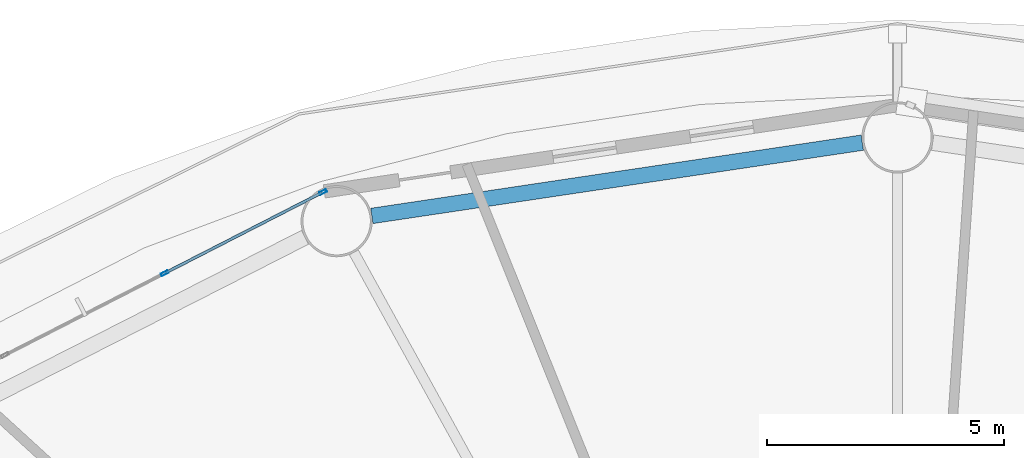
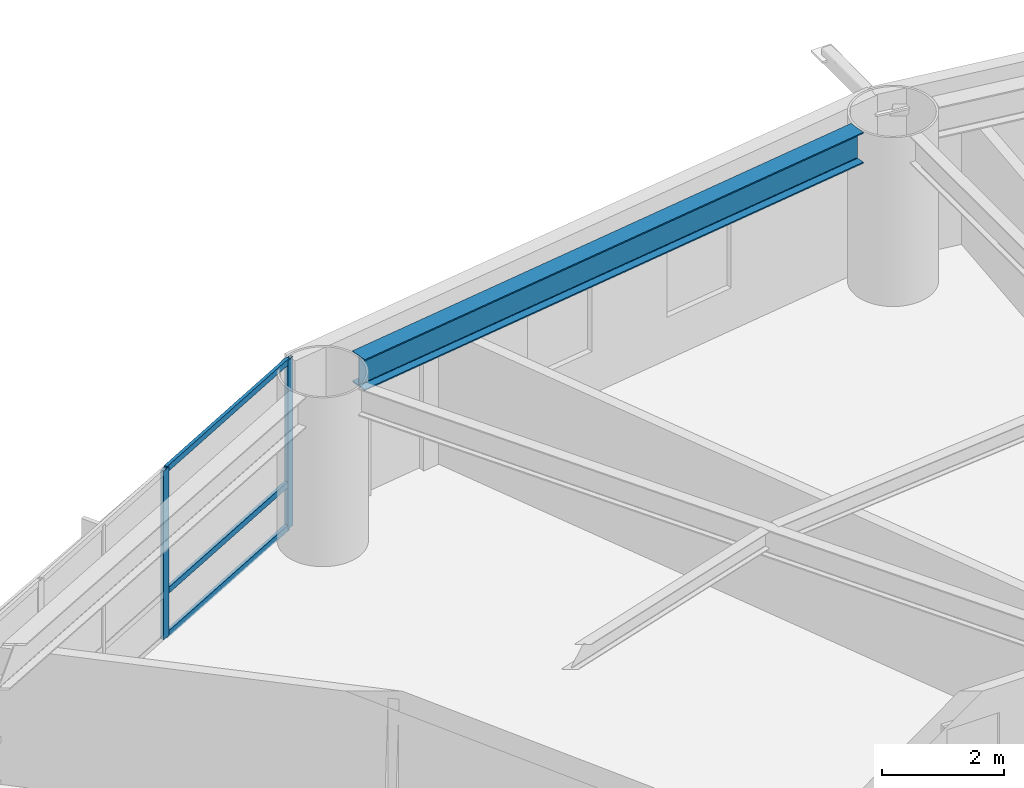
# One storey, part 12 of 28: 5 members, 1 beam, 1 element without a shape of its own.
"""IFC4 building model written with IfcOpenShell, lengths in metres."""

from ifc_helpers import new_model, si_unit, direction, frame, origin, origin_2d, place, context, subcontext, project, spatial, hollow_rectangle, i_section, extrude, material, layer, layer_set, material_profile, profile_set, type_object, element, aggregate, save


model = new_model("IFC4")

# Units and contexts
model_context = context("Model", 3, precision=1e-05, world=origin(), true_north=direction((0.0, 1.0)))
body_context = subcontext(model_context, "Body", "Model", "MODEL_VIEW")
ifc_project = project(units=[si_unit("LENGTHUNIT", "METRE"), si_unit("AREAUNIT", "SQUARE_METRE"), si_unit("VOLUMEUNIT", "CUBIC_METRE"), si_unit("PLANEANGLEUNIT", "RADIAN"), si_unit("MASSUNIT", "GRAM", prefix="KILO")], contexts=[model_context])

# Site, building, storey
site_placement = place(None, origin())
site = spatial("IfcSite", under=ifc_project, at=site_placement, CompositionType="ELEMENT")
building_placement = place(site_placement, origin())
building = spatial("IfcBuilding", under=site, at=building_placement, Name="Sarneth Arch Tower", CompositionType="ELEMENT")
storey_placement = place(building_placement, frame((0.0, 0.0, 67.800048828125)))
storey = spatial("IfcBuildingStorey", under=building, at=storey_placement, Name="L16", CompositionType="ELEMENT", Elevation=67.800048828125)

# Beam
ifc_material_1 = material(Name="Steel S355", Category="steel")
ifc_material_profile_1 = material_profile(ifc_material_1, i_section(OverallWidth=0.326904296875, OverallDepth=0.6220703125, WebThickness=0.015380859375, FlangeThickness=0.0244140625, FilletRadius=0.01904296875, at=origin_2d()), Name="W610x195")
ifc_profile_set_1 = profile_set([ifc_material_profile_1], Name="Steel S355")
beam_type = type_object("IfcBeamType", Name="BM-SPAN-610A", PredefinedType="SPANDREL", material=ifc_profile_set_1)
beam_placement = place(storey_placement, frame((47.25830078125, 65.089111328125, 3.06884765625), z_axis=(-0.989020169581, -0.147780594675, 0.0), x_axis=(0.147780594675, -0.989020169581, 0.0)))
element("IfcBeam", 1, at=beam_placement, inside=storey, type_object=beam_type, Name="L16 Perimeter spandrel beam 05", PredefinedType="SPANDREL", context=body_context, shape_type="SweptSolid", body=[
    extrude(i_section(OverallWidth=0.326904296875, OverallDepth=0.6220703125, WebThickness=0.015380859375, FlangeThickness=0.0244140625, FilletRadius=0.01904296875, at=origin_2d()), origin(), (0.0, 0.0, 1.0), 10.44921875),
])

# Curtain wall, members
ifc_material_2 = material(Name="Anodised aluminium Type AA25 and solar-control low-e laminated IGU", Category="aluminium")
ifc_layer = layer(ifc_material_2, 0.159912109375)
ifc_layer_set = layer_set([ifc_layer], Name="Anodised aluminium Type AA25 and solar-control low-e laminated IGU")
curtain_wall_type = type_object("IfcCurtainWallType", Name="CW-HOTEL-LOW", PredefinedType="NOTDEFINED", material=ifc_layer_set)
curtain_wall_placement = place(storey_placement, origin())
curtain_wall = element("IfcCurtainWall", 2, at=curtain_wall_placement, inside=storey, type_object=curtain_wall_type, Name="L16 Unitised curtain wall facet 06", PredefinedType="NOTDEFINED")
ifc_material_3 = material(Name="Anodised Aluminium 6063-T6", Category="aluminium")
ifc_material_profile_2 = material_profile(ifc_material_3, hollow_rectangle(XDim=0.06005859375, YDim=0.159912109375, WallThickness=0.00390625, at=origin_2d()), Name="AL-MULL-160x60x4")
ifc_profile_set_2 = profile_set([ifc_material_profile_2], Name="Anodised Aluminium 6063-T6")
member_type_1 = type_object("IfcMemberType", Name="CW-MULLION", PredefinedType="MULLION", material=ifc_profile_set_2)
member_1_placement = place(storey_placement, frame((35.8955078125, 64.048583984375, 0.0), z_axis=(0.0, 0.0, 1.0), x_axis=(0.456245197127, -0.889854100456, 0.0)))
member_1 = element("IfcMember", 3, at=member_1_placement, type_object=member_type_1, Name="CW-SYS-3 mullion 1", PredefinedType="MULLION", context=body_context, shape_type="SweptSolid", body=[
    extrude(hollow_rectangle(XDim=0.06005859375, YDim=0.159912109375, WallThickness=0.00390625, at=origin_2d()), origin(), (0.0, 0.0, 1.0), 3.3798828125),
])
member_2_placement = place(storey_placement, frame((32.556640625, 62.336669921875, 0.0), z_axis=(0.0, 0.0, 1.0), x_axis=(0.456245197127, -0.889854100456, 0.0)))
member_2 = element("IfcMember", 4, at=member_2_placement, type_object=member_type_1, Name="CW-SYS-3 mullion 2", PredefinedType="MULLION", context=body_context, shape_type="SweptSolid", body=[
    extrude(hollow_rectangle(XDim=0.06005859375, YDim=0.159912109375, WallThickness=0.00390625, at=origin_2d()), origin(), (0.0, 0.0, 1.0), 3.3798828125),
])
ifc_material_4 = material(Name="Anodised Aluminium 6063-T6", Category="aluminium")
ifc_material_profile_3 = material_profile(ifc_material_4, hollow_rectangle(XDim=0.06005859375, YDim=0.1201171875, WallThickness=0.00390625, at=origin_2d()), Name="AL-TRAN-120x60x4")
ifc_profile_set_3 = profile_set([ifc_material_profile_3], Name="Anodised Aluminium 6063-T6")
member_type_2 = type_object("IfcMemberType", Name="CW-TRANSOM", PredefinedType="USERDEFINED", material=ifc_profile_set_3)
member_3_placement = place(storey_placement, frame((35.86865234375, 64.034912109375, 0.030029296875), z_axis=(-0.889831232102, -0.456289796485, 0.0), x_axis=(0.456289796485, -0.889831232102, 0.0)))
member_3 = element("IfcMember", 5, at=member_3_placement, type_object=member_type_2, Name="CW-SYS-3 transom 1.1", ObjectType="TRANSOM", PredefinedType="USERDEFINED", context=body_context, shape_type="SweptSolid", body=[
    extrude(hollow_rectangle(XDim=0.06005859375, YDim=0.1201171875, WallThickness=0.00390625, at=origin_2d()), origin(), (0.0, 0.0, 1.0), 3.69189453125),
])
member_4_placement = place(storey_placement, frame((35.86865234375, 64.034912109375, 0.89990234375), z_axis=(-0.889831232102, -0.456289796485, 0.0), x_axis=(0.456289796485, -0.889831232102, 0.0)))
member_4 = element("IfcMember", 6, at=member_4_placement, type_object=member_type_2, Name="CW-SYS-3 transom 1.2", ObjectType="TRANSOM", PredefinedType="USERDEFINED", context=body_context, shape_type="SweptSolid", body=[
    extrude(hollow_rectangle(XDim=0.06005859375, YDim=0.1201171875, WallThickness=0.00390625, at=origin_2d()), origin(), (0.0, 0.0, 1.0), 3.69189453125),
])
member_5_placement = place(storey_placement, frame((35.86865234375, 64.034912109375, 3.349853515625), z_axis=(-0.889831232102, -0.456289796485, 0.0), x_axis=(0.456289796485, -0.889831232102, 0.0)))
member_5 = element("IfcMember", 7, at=member_5_placement, type_object=member_type_2, Name="CW-SYS-3 transom 1.3", ObjectType="TRANSOM", PredefinedType="USERDEFINED", context=body_context, shape_type="SweptSolid", body=[
    extrude(hollow_rectangle(XDim=0.06005859375, YDim=0.1201171875, WallThickness=0.00390625, at=origin_2d()), origin(), (0.0, 0.0, 1.0), 3.69189453125),
])
aggregate(curtain_wall, [member_1, member_2, member_3, member_4, member_5])

save(model, "model.ifc")
